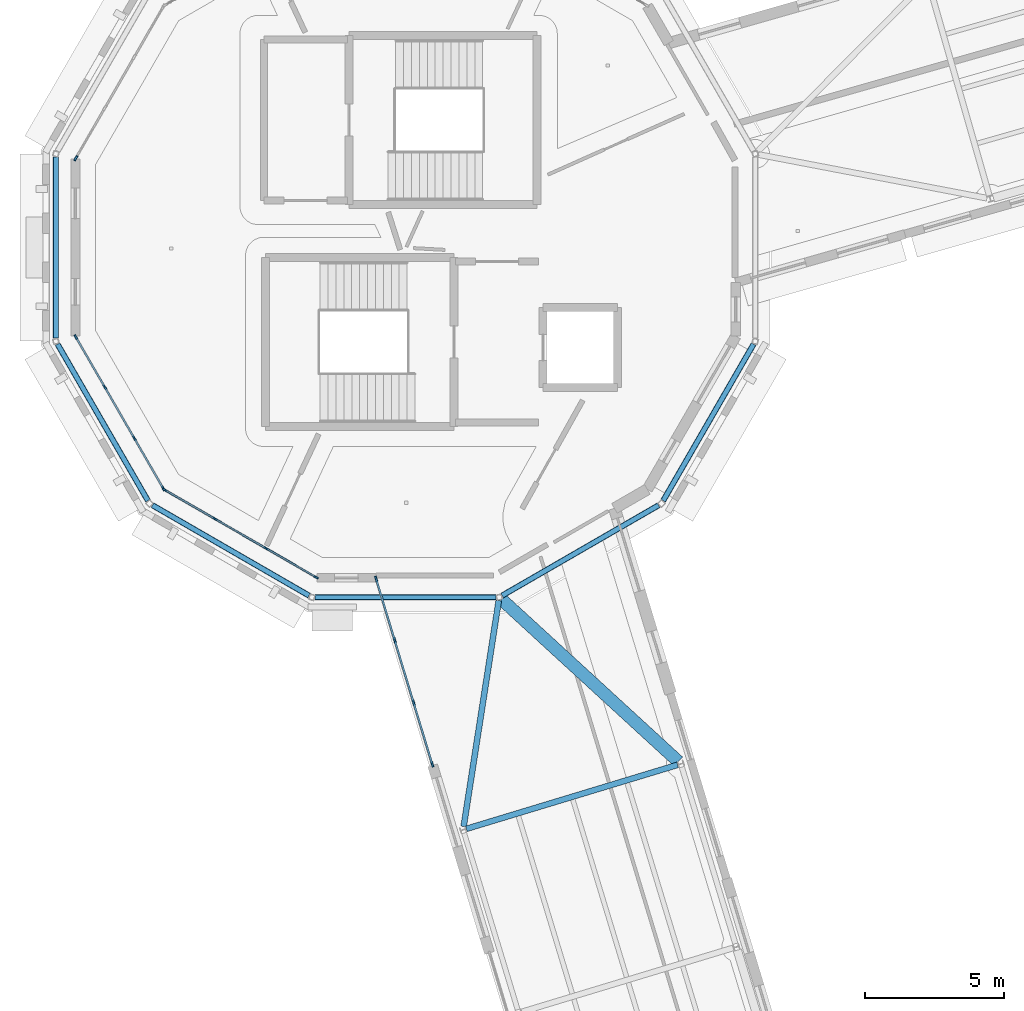
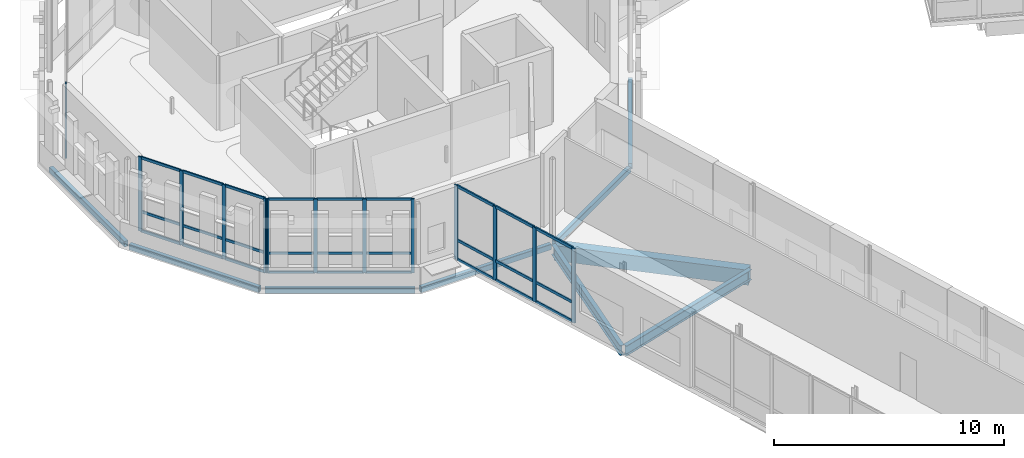
# One storey, part 39 of 125: 40 members, 9 beams, 4 elements without a shape of their own.
"""IFC4 building model written with IfcOpenShell, lengths in metres."""

from ifc_helpers import new_model, si_unit, direction, frame, origin, origin_2d, place, context, subcontext, project, spatial, rectangle, hollow_rectangle, i_section, extrude, material, material_profile, profile_set, type_object, element, aggregate, save


model = new_model("IFC4")

# Units and contexts
model_context = context("Model", 3, precision=1e-05, world=origin(), true_north=direction((0.0, 1.0)))
body_context = subcontext(model_context, "Body", "Model", "MODEL_VIEW")
ifc_project = project(units=[si_unit("LENGTHUNIT", "METRE"), si_unit("AREAUNIT", "SQUARE_METRE"), si_unit("VOLUMEUNIT", "CUBIC_METRE"), si_unit("PLANEANGLEUNIT", "RADIAN"), si_unit("MASSUNIT", "GRAM", prefix="KILO")], contexts=[model_context])

# Site, building, storey
site_placement = place(None, origin())
site = spatial("IfcSite", under=ifc_project, at=site_placement, CompositionType="ELEMENT")
building_placement = place(site_placement, origin())
building = spatial("IfcBuilding", under=site, at=building_placement, Name="Wrenclough Park School", CompositionType="ELEMENT")
storey_placement = place(building_placement, frame((0.0, 0.0, 4.199951171875)))
storey = spatial("IfcBuildingStorey", under=building, at=storey_placement, Name="L01", CompositionType="ELEMENT", Elevation=4.199951171875)

# Curtain wall, members
ifc_material_1 = material(Name="Thermally broken aluminium and low-e glass curtain wall", Category="aluminium")
curtain_wall_type_1 = type_object("IfcCurtainWallType", Name="ENV-CW-14", PredefinedType="USERDEFINED", material=ifc_material_1)
curtain_wall_1_placement = place(storey_placement, origin())
curtain_wall_1 = element("IfcCurtainWall", 1, at=curtain_wall_1_placement, inside=storey, type_object=curtain_wall_type_1, Name="L01 recessed curtain wall assembly 093", ObjectType="CURTAIN WALL", PredefinedType="USERDEFINED")
ifc_material_2 = material(Name="Thermally broken anodised aluminium", Category="aluminium")
ifc_material_profile_1 = material_profile(ifc_material_2, rectangle(XDim=0.06005859375, YDim=0.159912109375, at=origin_2d()), Name="AL MULLION 60x160")
ifc_profile_set_1 = profile_set([ifc_material_profile_1], Name="Thermally broken anodised aluminium")
member_type_1 = type_object("IfcMemberType", Name="ENV-CWM-1", PredefinedType="MULLION", material=ifc_profile_set_1)
member_1_placement = place(storey_placement, frame((13.2802734375, 77.611083984375, 0.0), z_axis=(0.0, 0.0, 1.0), x_axis=(-0.499999121909, -0.86602591075, 0.0)))
member_1 = element("IfcMember", 2, at=member_1_placement, type_object=member_type_1, Name="CW-14 mullion 1", PredefinedType="MULLION", context=body_context, shape_type="SweptSolid", body=[
    extrude(rectangle(XDim=0.06005859375, YDim=0.159912109375, at=origin_2d()), origin(), (0.0, 0.0, 1.0), 3.93994140625),
])
member_2_placement = place(storey_placement, frame((11.466796875, 78.658203125, 0.0), z_axis=(0.0, 0.0, 1.0), x_axis=(-0.499999121909, -0.86602591075, 0.0)))
member_2 = element("IfcMember", 3, at=member_2_placement, type_object=member_type_1, Name="CW-14 mullion 2", PredefinedType="MULLION", context=body_context, shape_type="SweptSolid", body=[
    extrude(rectangle(XDim=0.06005859375, YDim=0.159912109375, at=origin_2d()), origin(), (0.0, 0.0, 1.0), 3.93994140625),
])
member_3_placement = place(storey_placement, frame((9.627197265625, 79.72021484375, 0.0), z_axis=(0.0, 0.0, 1.0), x_axis=(-0.499999121909, -0.86602591075, 0.0)))
member_3 = element("IfcMember", 4, at=member_3_placement, type_object=member_type_1, Name="CW-14 mullion 3", PredefinedType="MULLION", context=body_context, shape_type="SweptSolid", body=[
    extrude(rectangle(XDim=0.06005859375, YDim=0.159912109375, at=origin_2d()), origin(), (0.0, 0.0, 1.0), 3.93994140625),
])
member_4_placement = place(storey_placement, frame((7.813720703125, 80.767333984375, 0.0), z_axis=(0.0, 0.0, 1.0), x_axis=(-0.499999121909, -0.86602591075, 0.0)))
member_4 = element("IfcMember", 5, at=member_4_placement, type_object=member_type_1, Name="CW-14 mullion 4", PredefinedType="MULLION", context=body_context, shape_type="SweptSolid", body=[
    extrude(rectangle(XDim=0.06005859375, YDim=0.159912109375, at=origin_2d()), origin(), (0.0, 0.0, 1.0), 3.93994140625),
])

curtain_wall_type_2 = type_object("IfcCurtainWallType", Name="ENV-CW-15", PredefinedType="USERDEFINED", material=ifc_material_1)
curtain_wall_2_placement = place(storey_placement, origin())
curtain_wall_2 = element("IfcCurtainWall", 6, at=curtain_wall_2_placement, inside=storey, type_object=curtain_wall_type_2, Name="L01 recessed curtain wall assembly 094", ObjectType="CURTAIN WALL", PredefinedType="USERDEFINED")
ifc_material_profile_2 = material_profile(ifc_material_2, rectangle(XDim=0.06494140625, YDim=0.179931640625, at=origin_2d()), Name="AL MULLION 65x180")
ifc_profile_set_2 = profile_set([ifc_material_profile_2], Name="Thermally broken anodised aluminium")
member_type_2 = type_object("IfcMemberType", Name="ENV-CWM-2", PredefinedType="MULLION", material=ifc_profile_set_2)
member_5_placement = place(storey_placement, frame((7.76611328125, 80.81591796875, 0.0), z_axis=(0.0, 0.0, 1.0), x_axis=(-0.86602591075, -0.499999121909, 0.0)))
member_5 = element("IfcMember", 7, at=member_5_placement, type_object=member_type_2, Name="CW-15 mullion 1", PredefinedType="MULLION", context=body_context, shape_type="SweptSolid", body=[
    extrude(rectangle(XDim=0.06494140625, YDim=0.179931640625, at=origin_2d()), origin(), (0.0, 0.0, 1.0), 3.93994140625),
])
member_6_placement = place(storey_placement, frame((6.72021484375, 82.627197265625, 0.0), z_axis=(0.0, 0.0, 1.0), x_axis=(-0.86602591075, -0.499999121909, 0.0)))
member_6 = element("IfcMember", 8, at=member_6_placement, type_object=member_type_2, Name="CW-15 mullion 2", PredefinedType="MULLION", context=body_context, shape_type="SweptSolid", body=[
    extrude(rectangle(XDim=0.06494140625, YDim=0.179931640625, at=origin_2d()), origin(), (0.0, 0.0, 1.0), 3.93994140625),
])
member_7_placement = place(storey_placement, frame((5.658203125, 84.466796875, 0.0), z_axis=(0.0, 0.0, 1.0), x_axis=(-0.86602591075, -0.499999121909, 0.0)))
member_7 = element("IfcMember", 9, at=member_7_placement, type_object=member_type_2, Name="CW-15 mullion 3", PredefinedType="MULLION", context=body_context, shape_type="SweptSolid", body=[
    extrude(rectangle(XDim=0.06494140625, YDim=0.179931640625, at=origin_2d()), origin(), (0.0, 0.0, 1.0), 3.93994140625),
])
member_8_placement = place(storey_placement, frame((4.612548828125, 86.278076171875, 0.0), z_axis=(0.0, 0.0, 1.0), x_axis=(-0.86602591075, -0.499999121909, 0.0)))
member_8 = element("IfcMember", 10, at=member_8_placement, type_object=member_type_2, Name="CW-15 mullion 4", PredefinedType="MULLION", context=body_context, shape_type="SweptSolid", body=[
    extrude(rectangle(XDim=0.06494140625, YDim=0.179931640625, at=origin_2d()), origin(), (0.0, 0.0, 1.0), 3.93994140625),
])

curtain_wall_type_3 = type_object("IfcCurtainWallType", Name="ENV-CW-13", PredefinedType="USERDEFINED", material=ifc_material_1)
curtain_wall_3_placement = place(storey_placement, origin())
curtain_wall_3 = element("IfcCurtainWall", 11, at=curtain_wall_3_placement, inside=storey, type_object=curtain_wall_type_3, Name="L01 recessed curtain wall assembly 092", ObjectType="CURTAIN WALL", PredefinedType="USERDEFINED")
ifc_material_profile_3 = material_profile(ifc_material_2, rectangle(XDim=0.070068359375, YDim=0.199951171875, at=origin_2d()), Name="AL MULLION 70x200")
ifc_profile_set_3 = profile_set([ifc_material_profile_3], Name="Thermally broken anodised aluminium")
member_type_3 = type_object("IfcMemberType", Name="ENV-CWM-3", PredefinedType="MULLION", material=ifc_profile_set_3)
member_9_placement = place(storey_placement, frame((17.46337890625, 70.87255859375, 0.0), z_axis=(0.0, 0.0, 1.0), x_axis=(-0.957030246116, -0.289988117032, 0.0)))
member_9 = element("IfcMember", 12, at=member_9_placement, type_object=member_type_3, Name="CW-13 mullion 1", PredefinedType="MULLION", context=body_context, shape_type="SweptSolid", body=[
    extrude(rectangle(XDim=0.070068359375, YDim=0.199951171875, at=origin_2d()), origin(), (0.0, 0.0, 1.0), 3.93994140625),
])
member_10_placement = place(storey_placement, frame((16.791748046875, 73.089599609375, 0.0), z_axis=(0.0, 0.0, 1.0), x_axis=(-0.957030246116, -0.289988117032, 0.0)))
member_10 = element("IfcMember", 13, at=member_10_placement, type_object=member_type_3, Name="CW-13 mullion 2", PredefinedType="MULLION", context=body_context, shape_type="SweptSolid", body=[
    extrude(rectangle(XDim=0.070068359375, YDim=0.199951171875, at=origin_2d()), origin(), (0.0, 0.0, 1.0), 3.93994140625),
])
member_11_placement = place(storey_placement, frame((16.10986328125, 75.340087890625, 0.0), z_axis=(0.0, 0.0, 1.0), x_axis=(-0.957030246116, -0.289988117032, 0.0)))
member_11 = element("IfcMember", 14, at=member_11_placement, type_object=member_type_3, Name="CW-13 mullion 3", PredefinedType="MULLION", context=body_context, shape_type="SweptSolid", body=[
    extrude(rectangle(XDim=0.070068359375, YDim=0.199951171875, at=origin_2d()), origin(), (0.0, 0.0, 1.0), 3.93994140625),
])
member_12_placement = place(storey_placement, frame((15.43798828125, 77.556884765625, 0.0), z_axis=(0.0, 0.0, 1.0), x_axis=(-0.957030246116, -0.289988117032, 0.0)))
member_12 = element("IfcMember", 15, at=member_12_placement, type_object=member_type_3, Name="CW-13 mullion 4", PredefinedType="MULLION", context=body_context, shape_type="SweptSolid", body=[
    extrude(rectangle(XDim=0.070068359375, YDim=0.199951171875, at=origin_2d()), origin(), (0.0, 0.0, 1.0), 3.93994140625),
])

# Curtain wall, member
curtain_wall_type_4 = type_object("IfcCurtainWallType", Name="ENV-CW-16", PredefinedType="USERDEFINED", material=ifc_material_1)
curtain_wall_4_placement = place(storey_placement, origin())
curtain_wall_4 = element("IfcCurtainWall", 16, at=curtain_wall_4_placement, inside=storey, type_object=curtain_wall_type_4, Name="L01 recessed curtain wall assembly 095", ObjectType="CURTAIN WALL", PredefinedType="USERDEFINED")
member_13_placement = place(storey_placement, frame((4.61376953125, 92.72412109375, 0.0), z_axis=(0.0, 0.0, 1.0), x_axis=(-0.86602591075, 0.499999121909, 0.0)))
member_13 = element("IfcMember", 17, at=member_13_placement, type_object=member_type_3, Name="CW-16 mullion 1", PredefinedType="MULLION", context=body_context, shape_type="SweptSolid", body=[
    extrude(rectangle(XDim=0.070068359375, YDim=0.199951171875, at=origin_2d()), origin(), (0.0, 0.0, 1.0), 3.93994140625),
])
aggregate(curtain_wall_4, [member_13])

# Member
ifc_material_profile_4 = material_profile(ifc_material_2, rectangle(XDim=0.06005859375, YDim=0.1201171875, at=origin_2d()), Name="AL TRANSOM 60x120")
ifc_profile_set_4 = profile_set([ifc_material_profile_4], Name="Thermally broken anodised aluminium")
member_type_4 = type_object("IfcMemberType", Name="ENV-CWT-1", PredefinedType="USERDEFINED", material=ifc_profile_set_4)
member_14_placement = place(storey_placement, frame((13.25439453125, 77.626220703125, 0.030029296875), z_axis=(-0.866033694824, 0.499985639223, 0.0), x_axis=(-0.499985639223, -0.866033694824, 0.0)))
member_14 = element("IfcMember", 18, at=member_14_placement, type_object=member_type_4, Name="CW-14 transom 1.1", ObjectType="TRANSOM", PredefinedType="USERDEFINED", context=body_context, shape_type="SweptSolid", body=[
    extrude(rectangle(XDim=0.06005859375, YDim=0.1201171875, at=origin_2d()), origin(), (0.0, 0.0, 1.0), 2.0341796875),
])

member_15_placement = place(storey_placement, frame((13.25439453125, 77.626220703125, 1.050048828125), z_axis=(-0.866033694824, 0.499985639223, 0.0), x_axis=(-0.499985639223, -0.866033694824, 0.0)))
member_15 = element("IfcMember", 19, at=member_15_placement, type_object=member_type_4, Name="CW-14 transom 1.2", ObjectType="TRANSOM", PredefinedType="USERDEFINED", context=body_context, shape_type="SweptSolid", body=[
    extrude(rectangle(XDim=0.06005859375, YDim=0.1201171875, at=origin_2d()), origin(), (0.0, 0.0, 1.0), 2.0341796875),
])

member_16_placement = place(storey_placement, frame((13.25439453125, 77.626220703125, 3.91015625), z_axis=(-0.866033694824, 0.499985639223, 0.0), x_axis=(-0.499985639223, -0.866033694824, 0.0)))
member_16 = element("IfcMember", 20, at=member_16_placement, type_object=member_type_4, Name="CW-14 transom 1.3", ObjectType="TRANSOM", PredefinedType="USERDEFINED", context=body_context, shape_type="SweptSolid", body=[
    extrude(rectangle(XDim=0.06005859375, YDim=0.1201171875, at=origin_2d()), origin(), (0.0, 0.0, 1.0), 2.0341796875),
])

member_17_placement = place(storey_placement, frame((11.44091796875, 78.67333984375, 0.030029296875), z_axis=(-0.86604377311, 0.499968182045, 0.0), x_axis=(-0.499968182045, -0.86604377311, 0.0)))
member_17 = element("IfcMember", 21, at=member_17_placement, type_object=member_type_4, Name="CW-14 transom 2.1", ObjectType="TRANSOM", PredefinedType="USERDEFINED", context=body_context, shape_type="SweptSolid", body=[
    extrude(rectangle(XDim=0.06005859375, YDim=0.1201171875, at=origin_2d()), origin(), (0.0, 0.0, 1.0), 2.064208984375),
])

member_18_placement = place(storey_placement, frame((11.44091796875, 78.67333984375, 1.050048828125), z_axis=(-0.86604377311, 0.499968182045, 0.0), x_axis=(-0.499968182045, -0.86604377311, 0.0)))
member_18 = element("IfcMember", 22, at=member_18_placement, type_object=member_type_4, Name="CW-14 transom 2.2", ObjectType="TRANSOM", PredefinedType="USERDEFINED", context=body_context, shape_type="SweptSolid", body=[
    extrude(rectangle(XDim=0.06005859375, YDim=0.1201171875, at=origin_2d()), origin(), (0.0, 0.0, 1.0), 2.064208984375),
])

member_19_placement = place(storey_placement, frame((11.44091796875, 78.67333984375, 3.91015625), z_axis=(-0.86604377311, 0.499968182045, 0.0), x_axis=(-0.499968182045, -0.86604377311, 0.0)))
member_19 = element("IfcMember", 23, at=member_19_placement, type_object=member_type_4, Name="CW-14 transom 2.3", ObjectType="TRANSOM", PredefinedType="USERDEFINED", context=body_context, shape_type="SweptSolid", body=[
    extrude(rectangle(XDim=0.06005859375, YDim=0.1201171875, at=origin_2d()), origin(), (0.0, 0.0, 1.0), 2.064208984375),
])

member_20_placement = place(storey_placement, frame((9.601318359375, 79.7353515625, 0.030029296875), z_axis=(-0.866055662726, 0.499947586314, 0.0), x_axis=(-0.499947586314, -0.866055662726, 0.0)))
member_20 = element("IfcMember", 24, at=member_20_placement, type_object=member_type_4, Name="CW-14 transom 3.1", ObjectType="TRANSOM", PredefinedType="USERDEFINED", context=body_context, shape_type="SweptSolid", body=[
    extrude(rectangle(XDim=0.06005859375, YDim=0.1201171875, at=origin_2d()), origin(), (0.0, 0.0, 1.0), 2.033935546875),
])

member_21_placement = place(storey_placement, frame((9.601318359375, 79.7353515625, 1.050048828125), z_axis=(-0.866055662726, 0.499947586314, 0.0), x_axis=(-0.499947586314, -0.866055662726, 0.0)))
member_21 = element("IfcMember", 25, at=member_21_placement, type_object=member_type_4, Name="CW-14 transom 3.2", ObjectType="TRANSOM", PredefinedType="USERDEFINED", context=body_context, shape_type="SweptSolid", body=[
    extrude(rectangle(XDim=0.06005859375, YDim=0.1201171875, at=origin_2d()), origin(), (0.0, 0.0, 1.0), 2.033935546875),
])

member_22_placement = place(storey_placement, frame((9.601318359375, 79.7353515625, 3.91015625), z_axis=(-0.866055662726, 0.499947586314, 0.0), x_axis=(-0.499947586314, -0.866055662726, 0.0)))
member_22 = element("IfcMember", 26, at=member_22_placement, type_object=member_type_4, Name="CW-14 transom 3.3", ObjectType="TRANSOM", PredefinedType="USERDEFINED", context=body_context, shape_type="SweptSolid", body=[
    extrude(rectangle(XDim=0.06005859375, YDim=0.1201171875, at=origin_2d()), origin(), (0.0, 0.0, 1.0), 2.033935546875),
])

aggregate(curtain_wall_1, [member_1, member_2, member_3, member_4, member_14, member_15, member_16, member_17, member_18, member_19, member_20, member_21, member_22])

ifc_material_profile_5 = material_profile(ifc_material_2, rectangle(XDim=0.06494140625, YDim=0.139892578125, at=origin_2d()), Name="AL TRANSOM 65x140")
ifc_profile_set_5 = profile_set([ifc_material_profile_5], Name="Thermally broken anodised aluminium")
member_type_5 = type_object("IfcMemberType", Name="ENV-CWT-2", PredefinedType="USERDEFINED", material=ifc_profile_set_5)
member_23_placement = place(storey_placement, frame((7.749755859375, 80.843994140625, 0.032470703125), z_axis=(-0.499948400353, 0.866055192805, 0.0), x_axis=(-0.866055192805, -0.499948400353, 0.0)))
member_23 = element("IfcMember", 27, at=member_23_placement, type_object=member_type_5, Name="CW-15 transom 1.1", ObjectType="TRANSOM", PredefinedType="USERDEFINED", context=body_context, shape_type="SweptSolid", body=[
    extrude(rectangle(XDim=0.06494140625, YDim=0.139892578125, at=origin_2d()), origin(), (0.0, 0.0, 1.0), 2.026611328125),
])

member_24_placement = place(storey_placement, frame((7.749755859375, 80.843994140625, 1.050048828125), z_axis=(-0.499948400353, 0.866055192805, 0.0), x_axis=(-0.866055192805, -0.499948400353, 0.0)))
member_24 = element("IfcMember", 28, at=member_24_placement, type_object=member_type_5, Name="CW-15 transom 1.2", ObjectType="TRANSOM", PredefinedType="USERDEFINED", context=body_context, shape_type="SweptSolid", body=[
    extrude(rectangle(XDim=0.06494140625, YDim=0.139892578125, at=origin_2d()), origin(), (0.0, 0.0, 1.0), 2.026611328125),
])

member_25_placement = place(storey_placement, frame((7.749755859375, 80.843994140625, 3.907470703125), z_axis=(-0.499948400353, 0.866055192805, 0.0), x_axis=(-0.866055192805, -0.499948400353, 0.0)))
member_25 = element("IfcMember", 29, at=member_25_placement, type_object=member_type_5, Name="CW-15 transom 1.3", ObjectType="TRANSOM", PredefinedType="USERDEFINED", context=body_context, shape_type="SweptSolid", body=[
    extrude(rectangle(XDim=0.06494140625, YDim=0.139892578125, at=origin_2d()), origin(), (0.0, 0.0, 1.0), 2.026611328125),
])

member_26_placement = place(storey_placement, frame((6.7041015625, 82.655517578125, 0.032470703125), z_axis=(-0.50000299093, 0.866023676963, 0.0), x_axis=(-0.866023676963, -0.50000299093, 0.0)))
member_26 = element("IfcMember", 30, at=member_26_placement, type_object=member_type_5, Name="CW-15 transom 2.1", ObjectType="TRANSOM", PredefinedType="USERDEFINED", context=body_context, shape_type="SweptSolid", body=[
    extrude(rectangle(XDim=0.06494140625, YDim=0.139892578125, at=origin_2d()), origin(), (0.0, 0.0, 1.0), 2.05908203125),
])

member_27_placement = place(storey_placement, frame((6.7041015625, 82.655517578125, 1.050048828125), z_axis=(-0.50000299093, 0.866023676963, 0.0), x_axis=(-0.866023676963, -0.50000299093, 0.0)))
member_27 = element("IfcMember", 31, at=member_27_placement, type_object=member_type_5, Name="CW-15 transom 2.2", ObjectType="TRANSOM", PredefinedType="USERDEFINED", context=body_context, shape_type="SweptSolid", body=[
    extrude(rectangle(XDim=0.06494140625, YDim=0.139892578125, at=origin_2d()), origin(), (0.0, 0.0, 1.0), 2.05908203125),
])

member_28_placement = place(storey_placement, frame((6.7041015625, 82.655517578125, 3.907470703125), z_axis=(-0.50000299093, 0.866023676963, 0.0), x_axis=(-0.866023676963, -0.50000299093, 0.0)))
member_28 = element("IfcMember", 32, at=member_28_placement, type_object=member_type_5, Name="CW-15 transom 2.3", ObjectType="TRANSOM", PredefinedType="USERDEFINED", context=body_context, shape_type="SweptSolid", body=[
    extrude(rectangle(XDim=0.06494140625, YDim=0.139892578125, at=origin_2d()), origin(), (0.0, 0.0, 1.0), 2.05908203125),
])

member_29_placement = place(storey_placement, frame((5.64208984375, 84.494873046875, 0.032470703125), z_axis=(-0.500038750527, 0.866003030001, 0.0), x_axis=(-0.866003030001, -0.500038750527, 0.0)))
member_29 = element("IfcMember", 33, at=member_29_placement, type_object=member_type_5, Name="CW-15 transom 3.1", ObjectType="TRANSOM", PredefinedType="USERDEFINED", context=body_context, shape_type="SweptSolid", body=[
    extrude(rectangle(XDim=0.06494140625, YDim=0.139892578125, at=origin_2d()), origin(), (0.0, 0.0, 1.0), 2.026611328125),
])

member_30_placement = place(storey_placement, frame((5.64208984375, 84.494873046875, 1.050048828125), z_axis=(-0.500038750527, 0.866003030001, 0.0), x_axis=(-0.866003030001, -0.500038750527, 0.0)))
member_30 = element("IfcMember", 34, at=member_30_placement, type_object=member_type_5, Name="CW-15 transom 3.2", ObjectType="TRANSOM", PredefinedType="USERDEFINED", context=body_context, shape_type="SweptSolid", body=[
    extrude(rectangle(XDim=0.06494140625, YDim=0.139892578125, at=origin_2d()), origin(), (0.0, 0.0, 1.0), 2.026611328125),
])

member_31_placement = place(storey_placement, frame((5.64208984375, 84.494873046875, 3.907470703125), z_axis=(-0.500038750527, 0.866003030001, 0.0), x_axis=(-0.866003030001, -0.500038750527, 0.0)))
member_31 = element("IfcMember", 35, at=member_31_placement, type_object=member_type_5, Name="CW-15 transom 3.3", ObjectType="TRANSOM", PredefinedType="USERDEFINED", context=body_context, shape_type="SweptSolid", body=[
    extrude(rectangle(XDim=0.06494140625, YDim=0.139892578125, at=origin_2d()), origin(), (0.0, 0.0, 1.0), 2.026611328125),
])

aggregate(curtain_wall_2, [member_5, member_6, member_7, member_8, member_23, member_24, member_25, member_26, member_27, member_28, member_29, member_30, member_31])

ifc_material_profile_6 = material_profile(ifc_material_2, rectangle(XDim=0.070068359375, YDim=0.14990234375, at=origin_2d()), Name="AL TRANSOM 70x150")
ifc_profile_set_6 = profile_set([ifc_material_profile_6], Name="Thermally broken anodised aluminium")
member_type_6 = type_object("IfcMemberType", Name="ENV-CWT-3", PredefinedType="USERDEFINED", material=ifc_profile_set_6)
member_32_placement = place(storey_placement, frame((17.453369140625, 70.906005859375, 0.03515625), z_axis=(-0.290028506865, 0.95701800673, 0.0), x_axis=(-0.95701800673, -0.290028506865, 0.0)))
member_32 = element("IfcMember", 36, at=member_32_placement, type_object=member_type_6, Name="CW-13 transom 1.1", ObjectType="TRANSOM", PredefinedType="USERDEFINED", context=body_context, shape_type="SweptSolid", body=[
    extrude(rectangle(XDim=0.070068359375, YDim=0.14990234375, at=origin_2d()), origin(), (0.0, 0.0, 1.0), 2.246826171875),
])

member_33_placement = place(storey_placement, frame((17.453369140625, 70.906005859375, 1.050048828125), z_axis=(-0.290028506865, 0.95701800673, 0.0), x_axis=(-0.95701800673, -0.290028506865, 0.0)))
member_33 = element("IfcMember", 37, at=member_33_placement, type_object=member_type_6, Name="CW-13 transom 1.2", ObjectType="TRANSOM", PredefinedType="USERDEFINED", context=body_context, shape_type="SweptSolid", body=[
    extrude(rectangle(XDim=0.070068359375, YDim=0.14990234375, at=origin_2d()), origin(), (0.0, 0.0, 1.0), 2.246826171875),
])

member_34_placement = place(storey_placement, frame((17.453369140625, 70.906005859375, 3.905029296875), z_axis=(-0.290028506865, 0.95701800673, 0.0), x_axis=(-0.95701800673, -0.290028506865, 0.0)))
member_34 = element("IfcMember", 38, at=member_34_placement, type_object=member_type_6, Name="CW-13 transom 1.3", ObjectType="TRANSOM", PredefinedType="USERDEFINED", context=body_context, shape_type="SweptSolid", body=[
    extrude(rectangle(XDim=0.070068359375, YDim=0.14990234375, at=origin_2d()), origin(), (0.0, 0.0, 1.0), 2.246826171875),
])

member_35_placement = place(storey_placement, frame((16.781494140625, 73.123046875, 0.03515625), z_axis=(-0.290007395283, 0.957024404433, 0.0), x_axis=(-0.957024404433, -0.290007395283, 0.0)))
member_35 = element("IfcMember", 39, at=member_35_placement, type_object=member_type_6, Name="CW-13 transom 2.1", ObjectType="TRANSOM", PredefinedType="USERDEFINED", context=body_context, shape_type="SweptSolid", body=[
    extrude(rectangle(XDim=0.070068359375, YDim=0.14990234375, at=origin_2d()), origin(), (0.0, 0.0, 1.0), 2.281494140625),
])

member_36_placement = place(storey_placement, frame((16.781494140625, 73.123046875, 1.050048828125), z_axis=(-0.290007395283, 0.957024404433, 0.0), x_axis=(-0.957024404433, -0.290007395283, 0.0)))
member_36 = element("IfcMember", 40, at=member_36_placement, type_object=member_type_6, Name="CW-13 transom 2.2", ObjectType="TRANSOM", PredefinedType="USERDEFINED", context=body_context, shape_type="SweptSolid", body=[
    extrude(rectangle(XDim=0.070068359375, YDim=0.14990234375, at=origin_2d()), origin(), (0.0, 0.0, 1.0), 2.281494140625),
])

member_37_placement = place(storey_placement, frame((16.781494140625, 73.123046875, 3.905029296875), z_axis=(-0.290007395283, 0.957024404433, 0.0), x_axis=(-0.957024404433, -0.290007395283, 0.0)))
member_37 = element("IfcMember", 41, at=member_37_placement, type_object=member_type_6, Name="CW-13 transom 2.3", ObjectType="TRANSOM", PredefinedType="USERDEFINED", context=body_context, shape_type="SweptSolid", body=[
    extrude(rectangle(XDim=0.070068359375, YDim=0.14990234375, at=origin_2d()), origin(), (0.0, 0.0, 1.0), 2.281494140625),
])

member_38_placement = place(storey_placement, frame((16.099609375, 75.37353515625, 0.03515625), z_axis=(-0.289959133167, 0.957039027988, 0.0), x_axis=(-0.957039027988, -0.289959133167, 0.0)))
member_38 = element("IfcMember", 42, at=member_38_placement, type_object=member_type_6, Name="CW-13 transom 3.1", ObjectType="TRANSOM", PredefinedType="USERDEFINED", context=body_context, shape_type="SweptSolid", body=[
    extrude(rectangle(XDim=0.070068359375, YDim=0.14990234375, at=origin_2d()), origin(), (0.0, 0.0, 1.0), 2.246337890625),
])

member_39_placement = place(storey_placement, frame((16.099609375, 75.37353515625, 1.050048828125), z_axis=(-0.289959133167, 0.957039027988, 0.0), x_axis=(-0.957039027988, -0.289959133167, 0.0)))
member_39 = element("IfcMember", 43, at=member_39_placement, type_object=member_type_6, Name="CW-13 transom 3.2", ObjectType="TRANSOM", PredefinedType="USERDEFINED", context=body_context, shape_type="SweptSolid", body=[
    extrude(rectangle(XDim=0.070068359375, YDim=0.14990234375, at=origin_2d()), origin(), (0.0, 0.0, 1.0), 2.246337890625),
])

member_40_placement = place(storey_placement, frame((16.099609375, 75.37353515625, 3.905029296875), z_axis=(-0.289959133167, 0.957039027988, 0.0), x_axis=(-0.957039027988, -0.289959133167, 0.0)))
member_40 = element("IfcMember", 44, at=member_40_placement, type_object=member_type_6, Name="CW-13 transom 3.3", ObjectType="TRANSOM", PredefinedType="USERDEFINED", context=body_context, shape_type="SweptSolid", body=[
    extrude(rectangle(XDim=0.070068359375, YDim=0.14990234375, at=origin_2d()), origin(), (0.0, 0.0, 1.0), 2.246337890625),
])

aggregate(curtain_wall_3, [member_9, member_10, member_11, member_12, member_32, member_33, member_34, member_35, member_36, member_37, member_38, member_39, member_40])

# Beams
ifc_material_3 = material(Name="Concrete C40/50", Category="concrete")
ifc_material_profile_7 = material_profile(ifc_material_3, rectangle(XDim=0.449951171875, YDim=0.800048828125, at=origin_2d()), Name="RC BEAM 450x800")
ifc_profile_set_7 = profile_set([ifc_material_profile_7], Name="Concrete C40/50")
beam_type_1 = type_object("IfcBeamType", Name="STR-BM-RC450", PredefinedType="BEAM", material=ifc_profile_set_7)
beam_1_placement = place(storey_placement, frame((26.333740234375, 70.9716796875, -0.6650390625), z_axis=(-0.736865583991, 0.676039282238, 0.0), x_axis=(-0.676039282238, -0.736865583991, 0.0)))
element("IfcBeam", 45, at=beam_1_placement, inside=storey, type_object=beam_type_1, Name="W23 L01 drum junction tie beam 18", PredefinedType="BEAM", context=body_context, shape_type="SweptSolid", body=[
    extrude(rectangle(XDim=0.449951171875, YDim=0.800048828125, at=origin_2d()), origin(), (0.0, 0.0, 1.0), 8.6416015625),
])
ifc_material_4 = material(Name="Structural steel S355", Category="steel")
ifc_material_profile_8 = material_profile(ifc_material_4, hollow_rectangle(XDim=0.199951171875, YDim=0.300048828125, WallThickness=0.012451171875, InnerFilletRadius=0.012451171875, OuterFilletRadius=0.018798828125, at=origin_2d()), Name="RHS 300x200x12.5")
ifc_profile_set_8 = profile_set([ifc_material_profile_8], Name="Structural steel S355")
beam_type_2 = type_object("IfcBeamType", Name="STR-BM-RHS300", PredefinedType="SPANDREL", material=ifc_profile_set_8)
beam_2_placement = place(storey_placement, frame((3.894775390625, 92.757568359375, -0.4150390625), z_axis=(0.0, -1.0, 0.0), x_axis=(1.0, 0.0, 0.0)))
element("IfcBeam", 46, at=beam_2_placement, inside=storey, type_object=beam_type_2, Name="D3 L01 outer ring spandrel beam 6", PredefinedType="SPANDREL", context=body_context, shape_type="SweptSolid", body=[
    extrude(hollow_rectangle(XDim=0.199951171875, YDim=0.300048828125, WallThickness=0.012451171875, InnerFilletRadius=0.012451171875, OuterFilletRadius=0.018798828125, at=origin_2d()), origin(), (0.0, 0.0, 1.0), 6.51513671875),
])
for number, where, z_axis, x_axis, name in (
    (47, (3.95458984375, 86.0185546875, -0.4150390625), (0.500024110927, -0.866011482887, 0.0), (0.866011482887, 0.500024110927, 0.0), "D3 L01 outer ring spandrel beam 7"),
    (48, (7.376220703125, 80.21240234375, -0.4150390625), (0.866011482887, -0.500024110927, 0.0), (0.500024110927, 0.866011482887, 0.0), "D3 L01 outer ring spandrel beam 8"),
):
    element("IfcBeam", number, at=place(storey_placement, frame(where, z_axis=z_axis, x_axis=x_axis)), inside=storey, type_object=beam_type_2, Name=name, PredefinedType="SPANDREL", context=body_context, shape_type="SweptSolid", body=[
        extrude(hollow_rectangle(XDim=0.199951171875, YDim=0.300048828125, WallThickness=0.012451171875, InnerFilletRadius=0.012451171875, OuterFilletRadius=0.018798828125, at=origin_2d()), origin(), (0.0, 0.0, 1.0), 6.515380859375),
    ])
beam_3_placement = place(storey_placement, frame((13.242431640625, 76.894775390625, -0.4150390625), z_axis=(1.0, 0.0, 0.0), x_axis=(0.0, 1.0, 0.0)))
element("IfcBeam", 49, at=beam_3_placement, inside=storey, type_object=beam_type_2, Name="D3 L01 outer ring spandrel beam 9", PredefinedType="SPANDREL", context=body_context, shape_type="SweptSolid", body=[
    extrude(hollow_rectangle(XDim=0.199951171875, YDim=0.300048828125, WallThickness=0.012451171875, InnerFilletRadius=0.012451171875, OuterFilletRadius=0.018798828125, at=origin_2d()), origin(), (0.0, 0.0, 1.0), 6.51513671875),
])
for number, where, z_axis, x_axis, name in (
    (50, (19.9814453125, 76.95458984375, -0.4150390625), (0.866011482887, 0.500024110927, 0.0), (-0.500024110927, 0.866011482887, 0.0), "D3 L01 outer ring spandrel beam 10"),
    (51, (25.78759765625, 80.376220703125, -0.4150390625), (0.500024110927, 0.866011482887, 0.0), (-0.866011482887, 0.500024110927, 0.0), "D3 L01 outer ring spandrel beam 11"),
):
    element("IfcBeam", number, at=place(storey_placement, frame(where, z_axis=z_axis, x_axis=x_axis)), inside=storey, type_object=beam_type_2, Name=name, PredefinedType="SPANDREL", context=body_context, shape_type="SweptSolid", body=[
        extrude(hollow_rectangle(XDim=0.199951171875, YDim=0.300048828125, WallThickness=0.012451171875, InnerFilletRadius=0.012451171875, OuterFilletRadius=0.018798828125, at=origin_2d()), origin(), (0.0, 0.0, 1.0), 6.515380859375),
    ])
ifc_material_profile_9 = material_profile(ifc_material_4, i_section(OverallWidth=0.209228515625, OverallDepth=0.533203125, WebThickness=0.010009765625, FlangeThickness=0.015625, FilletRadius=0.0126953125, at=origin_2d()), Name="UKB 533x210x92")
ifc_profile_set_9 = profile_set([ifc_material_profile_9], Name="Structural steel S355")
beam_type_3 = type_object("IfcBeamType", Name="STR-BM-UKB533A", PredefinedType="BEAM", material=ifc_profile_set_9)
beam_4_placement = place(storey_placement, frame((18.693115234375, 68.54638671875, -0.506591796875), z_axis=(0.957026985364, 0.289998878076, 0.0), x_axis=(-0.289998878076, 0.957026985364, 0.0)))
element("IfcBeam", 52, at=beam_4_placement, inside=storey, type_object=beam_type_3, Name="W23 L01 transverse floor beam 5", PredefinedType="BEAM", context=body_context, shape_type="SweptSolid", body=[
    extrude(i_section(OverallWidth=0.209228515625, OverallDepth=0.533203125, WebThickness=0.010009765625, FlangeThickness=0.015625, FilletRadius=0.0126953125, at=origin_2d()), origin(), (0.0, 0.0, 1.0), 7.95556640625),
])
beam_5_placement = place(storey_placement, frame((18.594970703125, 68.6318359375, -0.531494140625), z_axis=(0.153383710535, 0.988166705239, 0.0), x_axis=(-0.988166705239, 0.153383710535, 0.0)))
element("IfcBeam", 53, at=beam_5_placement, inside=storey, type_object=beam_type_3, Name="W23 L01 drum junction tie beam 15", PredefinedType="BEAM", context=body_context, shape_type="SweptSolid", body=[
    extrude(i_section(OverallWidth=0.209228515625, OverallDepth=0.533203125, WebThickness=0.010009765625, FlangeThickness=0.015625, FilletRadius=0.0126953125, at=origin_2d()), origin(), (0.0, 0.0, 1.0), 8.24169921875),
])

save(model, "model.ifc")
